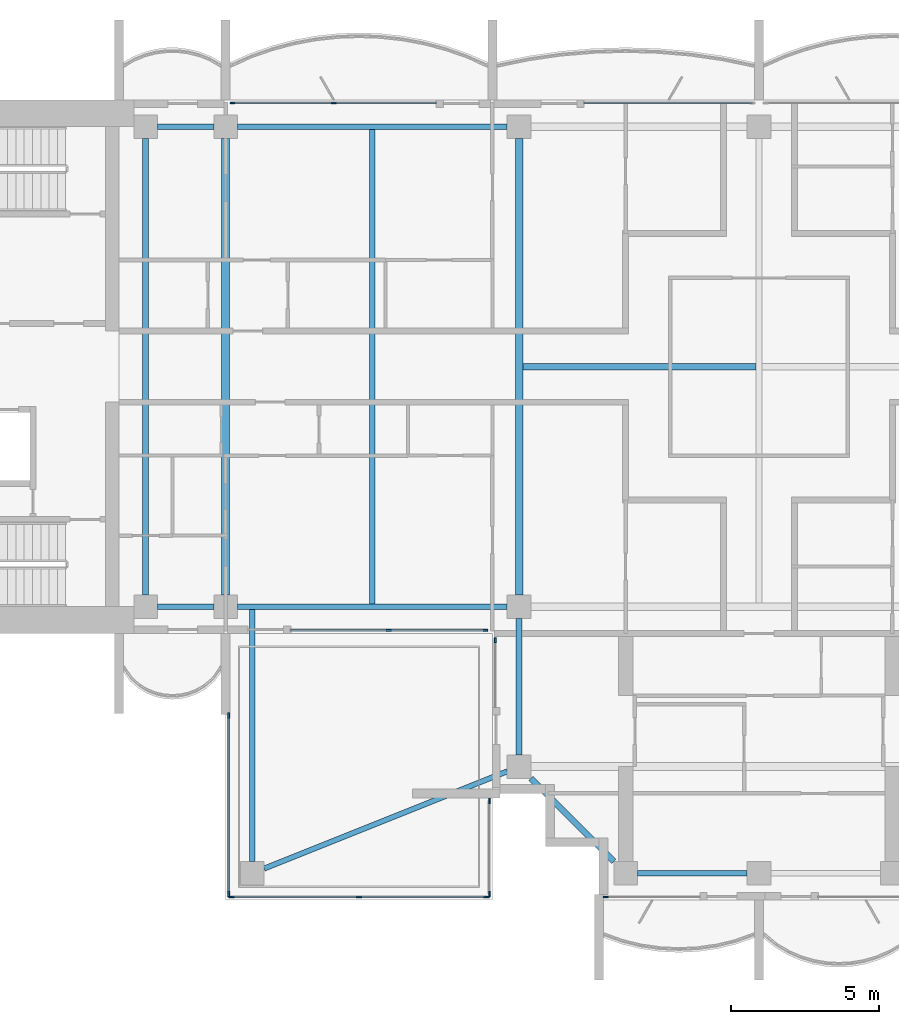
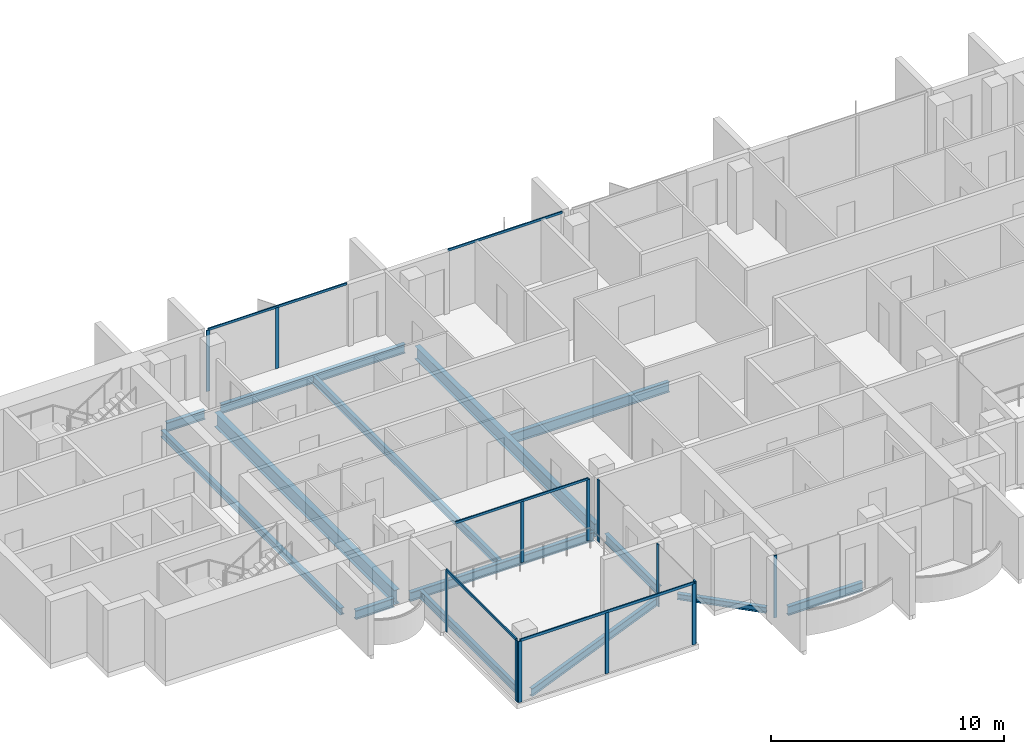
# One storey, part 2 of 16: 18 members, 14 beams, 8 elements without a shape of their own.
"""IFC4 building model written with IfcOpenShell, lengths in metres."""

from ifc_helpers import new_model, si_unit, direction, frame, origin, origin_2d, place, context, subcontext, project, spatial, rectangle, i_section, extrude, material, material_profile, profile_set, type_object, element, aggregate, save


model = new_model("IFC4")

# Units and contexts
model_context = context("Model", 3, precision=1e-05, world=origin(), true_north=direction((0.0, 1.0)))
body_context = subcontext(model_context, "Body", "Model", "MODEL_VIEW")
ifc_project = project(units=[si_unit("LENGTHUNIT", "METRE"), si_unit("AREAUNIT", "SQUARE_METRE"), si_unit("VOLUMEUNIT", "CUBIC_METRE"), si_unit("PLANEANGLEUNIT", "RADIAN"), si_unit("MASSUNIT", "GRAM", prefix="KILO")], contexts=[model_context])

# Site, building, storey
site_placement = place(None, origin())
site = spatial("IfcSite", under=ifc_project, at=site_placement, CompositionType="ELEMENT")
building_placement = place(site_placement, origin())
building = spatial("IfcBuilding", under=site, at=building_placement, Name="Perihelion Cross Residences", CompositionType="ELEMENT")
storey_placement = place(building_placement, frame((0.0, 0.0, 267.5)))
storey = spatial("IfcBuildingStorey", under=building, at=storey_placement, Name="L68", CompositionType="ELEMENT", Elevation=267.5)

# Curtain wall, members
ifc_material_1 = material(Name="Bronze anodised aluminium, tinted glazing", Category="aluminium")
curtain_wall_type_1 = type_object("IfcCurtainWallType", Name="CW1", PredefinedType="NOTDEFINED", material=ifc_material_1)
curtain_wall_1_placement = place(storey_placement, origin())
curtain_wall_1 = element("IfcCurtainWall", 1, at=curtain_wall_1_placement, inside=storey, type_object=curtain_wall_type_1, Name="Curtain wall CW1 L68 west side north bay 1", PredefinedType="NOTDEFINED")
ifc_material_2 = material(Name="Bronze anodised aluminium", Category="aluminium")
ifc_material_profile_1 = material_profile(ifc_material_2, rectangle(XDim=0.06005859375, YDim=0.159912109375, at=origin_2d()), Name="CW1 mullion")
ifc_profile_set_1 = profile_set([ifc_material_profile_1], Name="Bronze anodised aluminium")
member_type_1 = type_object("IfcMemberType", Name="CW1 mullion", PredefinedType="MULLION", material=ifc_profile_set_1)
member_1_placement = place(storey_placement, frame((-14.35009765625, 8.89990234375, 0.0), z_axis=(0.0, 0.0, 1.0), x_axis=(0.0, -1.0, 0.0)))
member_1 = element("IfcMember", 2, at=member_1_placement, type_object=member_type_1, Name="CW1 mullion 2", PredefinedType="MULLION", context=body_context, shape_type="SweptSolid", body=[
    extrude(rectangle(XDim=0.06005859375, YDim=0.159912109375, at=origin_2d()), origin(), (0.0, 0.0, 1.0), 3.18994140625),
])
member_2_placement = place(storey_placement, frame((-17.77001953125, 8.89990234375, 0.0), z_axis=(0.0, 0.0, 1.0), x_axis=(0.0, -1.0, 0.0)))
member_2 = element("IfcMember", 3, at=member_2_placement, type_object=member_type_1, Name="CW1 mullion 3", PredefinedType="MULLION", context=body_context, shape_type="SweptSolid", body=[
    extrude(rectangle(XDim=0.06005859375, YDim=0.159912109375, at=origin_2d()), origin(), (0.0, 0.0, 1.0), 3.18994140625),
])

curtain_wall_2_placement = place(storey_placement, origin())
curtain_wall_2 = element("IfcCurtainWall", 4, at=curtain_wall_2_placement, inside=storey, type_object=curtain_wall_type_1, Name="Curtain wall CW1 L68 west side south bay 2", PredefinedType="NOTDEFINED")
member_3_placement = place(storey_placement, frame((-12.5, -8.89990234375, 0.0), z_axis=(0.0, 0.0, 1.0), x_axis=(0.0, 1.0, 0.0)))
member_3 = element("IfcMember", 5, at=member_3_placement, type_object=member_type_1, Name="CW1 mullion 2", PredefinedType="MULLION", context=body_context, shape_type="SweptSolid", body=[
    extrude(rectangle(XDim=0.06005859375, YDim=0.159912109375, at=origin_2d()), origin(), (0.0, 0.0, 1.0), 3.18994140625),
])
member_4_placement = place(storey_placement, frame((-9.22998046875, -8.89990234375, 0.0), z_axis=(0.0, 0.0, 1.0), x_axis=(0.0, 1.0, 0.0)))
member_4 = element("IfcMember", 6, at=member_4_placement, type_object=member_type_1, Name="CW1 mullion 3", PredefinedType="MULLION", context=body_context, shape_type="SweptSolid", body=[
    extrude(rectangle(XDim=0.06005859375, YDim=0.159912109375, at=origin_2d()), origin(), (0.0, 0.0, 1.0), 3.18994140625),
])

# Curtain wall, member
curtain_wall_3_placement = place(storey_placement, origin())
curtain_wall_3 = element("IfcCurtainWall", 7, at=curtain_wall_3_placement, inside=storey, type_object=curtain_wall_type_1, Name="Curtain wall CW1 L68 south side west bay 1", PredefinedType="NOTDEFINED")
member_5_placement = place(storey_placement, frame((-8.89990234375, -9.22998046875, 0.0), z_axis=(0.0, 0.0, 1.0), x_axis=(1.0, 0.0, 0.0)))
member_5 = element("IfcMember", 8, at=member_5_placement, type_object=member_type_1, Name="CW1 mullion 1", PredefinedType="MULLION", context=body_context, shape_type="SweptSolid", body=[
    extrude(rectangle(XDim=0.06005859375, YDim=0.159912109375, at=origin_2d()), origin(), (0.0, 0.0, 1.0), 3.25),
])
aggregate(curtain_wall_3, [member_5])

curtain_wall_4_placement = place(storey_placement, origin())
curtain_wall_4 = element("IfcCurtainWall", 9, at=curtain_wall_4_placement, inside=storey, type_object=curtain_wall_type_1, Name="Curtain wall CW1 L68 south tip south bay 1", PredefinedType="NOTDEFINED")
member_6_placement = place(storey_placement, frame((-5.169921875, -17.89990234375, 0.0), z_axis=(0.0, 0.0, 1.0), x_axis=(0.0, 1.0, 0.0)))
member_6 = element("IfcMember", 10, at=member_6_placement, type_object=member_type_1, Name="CW1 mullion 1", PredefinedType="MULLION", context=body_context, shape_type="SweptSolid", body=[
    extrude(rectangle(XDim=0.06005859375, YDim=0.159912109375, at=origin_2d()), origin(), (0.0, 0.0, 1.0), 3.25),
])
aggregate(curtain_wall_4, [member_6])

curtain_wall_5_placement = place(storey_placement, origin())
curtain_wall_5 = element("IfcCurtainWall", 11, at=curtain_wall_5_placement, inside=storey, type_object=curtain_wall_type_1, Name="Curtain wall CW1 L68 north side east bay 2", PredefinedType="NOTDEFINED")
ifc_material_3 = material(Name="Bronze anodised aluminium", Category="aluminium")
ifc_material_profile_2 = material_profile(ifc_material_3, rectangle(XDim=0.06005859375, YDim=0.1201171875, at=origin_2d()), Name="CW1 transom")
ifc_profile_set_2 = profile_set([ifc_material_profile_2], Name="Bronze anodised aluminium")
member_type_2 = type_object("IfcMemberType", Name="CW1 transom", PredefinedType="USERDEFINED", material=ifc_profile_set_2)
member_7_placement = place(storey_placement, frame((-0.22998046875, 8.89990234375, 3.219970703125), z_axis=(-1.0, 0.0, 0.0), x_axis=(0.0, -1.0, 0.0)))
member_7 = element("IfcMember", 12, at=member_7_placement, type_object=member_type_2, Name="CW1 head transom", ObjectType="TRANSOM", PredefinedType="USERDEFINED", context=body_context, shape_type="SweptSolid", body=[
    extrude(rectangle(XDim=0.06005859375, YDim=0.1201171875, at=origin_2d()), origin(), (0.0, 0.0, 1.0), 5.669921875),
])
aggregate(curtain_wall_5, [member_7])

# Member
member_8_placement = place(storey_placement, frame((-10.89990234375, 8.89990234375, 3.219970703125), z_axis=(-1.0, 0.0, 0.0), x_axis=(0.0, -1.0, 0.0)))
member_8 = element("IfcMember", 13, at=member_8_placement, type_object=member_type_2, Name="CW1 head transom", ObjectType="TRANSOM", PredefinedType="USERDEFINED", context=body_context, shape_type="SweptSolid", body=[
    extrude(rectangle(XDim=0.06005859375, YDim=0.1201171875, at=origin_2d()), origin(), (0.0, 0.0, 1.0), 6.8701171875),
])

aggregate(curtain_wall_1, [member_1, member_2, member_8])

member_9_placement = place(storey_placement, frame((-15.800048828125, -8.89990234375, 3.219970703125), z_axis=(1.0, 0.0, 0.0), x_axis=(0.0, 1.0, 0.0)))
member_9 = element("IfcMember", 14, at=member_9_placement, type_object=member_type_2, Name="CW1 head transom", ObjectType="TRANSOM", PredefinedType="USERDEFINED", context=body_context, shape_type="SweptSolid", body=[
    extrude(rectangle(XDim=0.06005859375, YDim=0.1201171875, at=origin_2d()), origin(), (0.0, 0.0, 1.0), 6.570068359375),
])

aggregate(curtain_wall_2, [member_3, member_4, member_9])

# Curtain wall, members
ifc_material_4 = material(Name="Bronze anodised aluminium, tinted glazing", Category="aluminium")
curtain_wall_type_2 = type_object("IfcCurtainWallType", Name="CW4", PredefinedType="NOTDEFINED", material=ifc_material_4)
curtain_wall_6_placement = place(storey_placement, origin())
curtain_wall_6 = element("IfcCurtainWall", 15, at=curtain_wall_6_placement, inside=storey, type_object=curtain_wall_type_2, Name="Curtain wall CW4 L68 pocket south-west 1 1", PredefinedType="NOTDEFINED")
ifc_material_5 = material(Name="Bronze anodised aluminium", Category="aluminium")
ifc_material_profile_3 = material_profile(ifc_material_5, rectangle(XDim=0.06005859375, YDim=0.179931640625, at=origin_2d()), Name="CW4 mullion")
ifc_profile_set_3 = profile_set([ifc_material_profile_3], Name="Bronze anodised aluminium")
member_type_3 = type_object("IfcMemberType", Name="CW4 mullion", PredefinedType="MULLION", material=ifc_profile_set_3)
member_10_placement = place(storey_placement, frame((-9.10009765625, -14.658935546875, 0.0), z_axis=(0.0, 0.0, 1.0), x_axis=(1.0, 0.0, 0.0)))
member_10 = element("IfcMember", 16, at=member_10_placement, type_object=member_type_3, Name="CW4 mullion 1", PredefinedType="MULLION", context=body_context, shape_type="SweptSolid", body=[
    extrude(rectangle(XDim=0.06005859375, YDim=0.179931640625, at=origin_2d()), origin(), (0.0, 0.0, 1.0), 3.25),
])
member_11_placement = place(storey_placement, frame((-9.10009765625, -17.800048828125, 0.0), z_axis=(0.0, 0.0, 1.0), x_axis=(1.0, 0.0, 0.0)))
member_11 = element("IfcMember", 17, at=member_11_placement, type_object=member_type_3, Name="CW4 mullion 2", PredefinedType="MULLION", context=body_context, shape_type="SweptSolid", body=[
    extrude(rectangle(XDim=0.06005859375, YDim=0.179931640625, at=origin_2d()), origin(), (0.0, 0.0, 1.0), 3.25),
])
aggregate(curtain_wall_6, [member_10, member_11])

curtain_wall_7_placement = place(storey_placement, origin())
curtain_wall_7 = element("IfcCurtainWall", 18, at=curtain_wall_7_placement, inside=storey, type_object=curtain_wall_type_2, Name="Curtain wall CW4 L68 pocket south-west 1 2", PredefinedType="NOTDEFINED")
member_12_placement = place(storey_placement, frame((-9.199951171875, -17.89990234375, 0.0), z_axis=(0.0, 0.0, 1.0), x_axis=(0.0, -1.0, 0.0)))
member_12 = element("IfcMember", 19, at=member_12_placement, type_object=member_type_3, Name="CW4 mullion 1", PredefinedType="MULLION", context=body_context, shape_type="SweptSolid", body=[
    extrude(rectangle(XDim=0.06005859375, YDim=0.179931640625, at=origin_2d()), origin(), (0.0, 0.0, 1.0), 3.18994140625),
])
member_13_placement = place(storey_placement, frame((-13.5, -17.89990234375, 0.0), z_axis=(0.0, 0.0, 1.0), x_axis=(0.0, -1.0, 0.0)))
member_13 = element("IfcMember", 20, at=member_13_placement, type_object=member_type_3, Name="CW4 mullion 2", PredefinedType="MULLION", context=body_context, shape_type="SweptSolid", body=[
    extrude(rectangle(XDim=0.06005859375, YDim=0.179931640625, at=origin_2d()), origin(), (0.0, 0.0, 1.0), 3.18994140625),
])
member_14_placement = place(storey_placement, frame((-17.800048828125, -17.89990234375, 0.0), z_axis=(0.0, 0.0, 1.0), x_axis=(0.0, -1.0, 0.0)))
member_14 = element("IfcMember", 21, at=member_14_placement, type_object=member_type_3, Name="CW4 mullion 3", PredefinedType="MULLION", context=body_context, shape_type="SweptSolid", body=[
    extrude(rectangle(XDim=0.06005859375, YDim=0.179931640625, at=origin_2d()), origin(), (0.0, 0.0, 1.0), 3.18994140625),
])

curtain_wall_8_placement = place(storey_placement, origin())
curtain_wall_8 = element("IfcCurtainWall", 22, at=curtain_wall_8_placement, inside=storey, type_object=curtain_wall_type_2, Name="Curtain wall CW4 L68 pocket south-west 1 3", PredefinedType="NOTDEFINED")
member_15_placement = place(storey_placement, frame((-17.89990234375, -17.800048828125, 0.0), z_axis=(0.0, 0.0, 1.0), x_axis=(-1.0, 0.0, 0.0)))
member_15 = element("IfcMember", 23, at=member_15_placement, type_object=member_type_3, Name="CW4 mullion 1", PredefinedType="MULLION", context=body_context, shape_type="SweptSolid", body=[
    extrude(rectangle(XDim=0.06005859375, YDim=0.179931640625, at=origin_2d()), origin(), (0.0, 0.0, 1.0), 3.18994140625),
])
member_16_placement = place(storey_placement, frame((-17.89990234375, -11.77001953125, 0.0), z_axis=(0.0, 0.0, 1.0), x_axis=(-1.0, 0.0, 0.0)))
member_16 = element("IfcMember", 24, at=member_16_placement, type_object=member_type_3, Name="CW4 mullion 2", PredefinedType="MULLION", context=body_context, shape_type="SweptSolid", body=[
    extrude(rectangle(XDim=0.06005859375, YDim=0.179931640625, at=origin_2d()), origin(), (0.0, 0.0, 1.0), 3.18994140625),
])

# Member
ifc_material_6 = material(Name="Bronze anodised aluminium", Category="aluminium")
ifc_material_profile_4 = material_profile(ifc_material_6, rectangle(XDim=0.06005859375, YDim=0.139892578125, at=origin_2d()), Name="CW4 transom")
ifc_profile_set_4 = profile_set([ifc_material_profile_4], Name="Bronze anodised aluminium")
member_type_4 = type_object("IfcMemberType", Name="CW4 transom", PredefinedType="USERDEFINED", material=ifc_profile_set_4)
member_17_placement = place(storey_placement, frame((-9.199951171875, -17.89990234375, 3.219970703125), z_axis=(-1.0, 0.0, 0.0), x_axis=(0.0, -1.0, 0.0)))
member_17 = element("IfcMember", 25, at=member_17_placement, type_object=member_type_4, Name="CW4 head transom", ObjectType="TRANSOM", PredefinedType="USERDEFINED", context=body_context, shape_type="SweptSolid", body=[
    extrude(rectangle(XDim=0.06005859375, YDim=0.139892578125, at=origin_2d()), origin(), (0.0, 0.0, 1.0), 8.60009765625),
])

aggregate(curtain_wall_7, [member_12, member_13, member_14, member_17])

member_18_placement = place(storey_placement, frame((-17.89990234375, -17.800048828125, 3.219970703125), z_axis=(0.0, 1.0, 0.0), x_axis=(-1.0, 0.0, 0.0)))
member_18 = element("IfcMember", 26, at=member_18_placement, type_object=member_type_4, Name="CW4 head transom", ObjectType="TRANSOM", PredefinedType="USERDEFINED", context=body_context, shape_type="SweptSolid", body=[
    extrude(rectangle(XDim=0.06005859375, YDim=0.139892578125, at=origin_2d()), origin(), (0.0, 0.0, 1.0), 6.030029296875),
])

aggregate(curtain_wall_8, [member_15, member_16, member_18])

# Beams
ifc_material_7 = material(Name="Steel S355", Category="steel")
ifc_material_profile_5 = material_profile(ifc_material_7, i_section(OverallWidth=0.205078125, OverallDepth=0.35302734375, WebThickness=0.009521484375, FlangeThickness=0.016845703125, at=origin_2d()), Name="W360x79")
ifc_profile_set_5 = profile_set([ifc_material_profile_5], Name="Steel S355")
beam_type_1 = type_object("IfcBeamType", Name="Core edge beam W360x79", PredefinedType="BEAM", material=ifc_profile_set_5)
beam_1_placement = place(storey_placement, frame((-20.699951171875, -7.699951171875, -0.426513671875), z_axis=(0.0, 1.0, 0.0), x_axis=(-1.0, 0.0, 0.0)))
element("IfcBeam", 27, at=beam_1_placement, inside=storey, type_object=beam_type_1, Name="Core edge beam TB7 L68 no. 1", PredefinedType="BEAM", context=body_context, shape_type="SweptSolid", body=[
    extrude(i_section(OverallWidth=0.205078125, OverallDepth=0.35302734375, WebThickness=0.009521484375, FlangeThickness=0.016845703125, at=origin_2d()), origin(), (0.0, 0.0, 1.0), 15.39990234375),
])
ifc_material_8 = material(Name="Steel S355", Category="steel")
ifc_material_profile_6 = material_profile(ifc_material_8, i_section(OverallWidth=0.177978515625, OverallDepth=0.406005859375, WebThickness=0.0078125, FlangeThickness=0.0126953125, at=origin_2d()), Name="W410x60")
ifc_profile_set_6 = profile_set([ifc_material_profile_6], Name="Steel S355")
beam_type_2 = type_object("IfcBeamType", Name="Core edge beam W410x60", PredefinedType="BEAM", material=ifc_profile_set_6)
beam_2_placement = place(storey_placement, frame((-17.10009765625, -8.197021484375, -0.452880859375), z_axis=(0.0, -1.0, 0.0), x_axis=(1.0, 0.0, 0.0)))
element("IfcBeam", 28, at=beam_2_placement, inside=storey, type_object=beam_type_2, Name="Core edge beam TB2 L68 corner no. 1", PredefinedType="BEAM", context=body_context, shape_type="SweptSolid", body=[
    extrude(i_section(OverallWidth=0.177978515625, OverallDepth=0.406005859375, WebThickness=0.0078125, FlangeThickness=0.0126953125, at=origin_2d()), origin(), (0.0, 0.0, 1.0), 8.5029296875),
])
beam_3_placement = place(storey_placement, frame((-8.5, -13.659912109375, -0.452880859375), z_axis=(-0.928474784399, -0.371395442534, 0.0), x_axis=(0.371395442534, -0.928474784399, 0.0)))
element("IfcBeam", 29, at=beam_3_placement, inside=storey, type_object=beam_type_2, Name="Core edge beam TB2 L68 corner no. 2", PredefinedType="BEAM", context=body_context, shape_type="SweptSolid", body=[
    extrude(i_section(OverallWidth=0.177978515625, OverallDepth=0.406005859375, WebThickness=0.0078125, FlangeThickness=0.0126953125, at=origin_2d()), origin(), (0.0, 0.0, 1.0), 8.83154296875),
])
ifc_material_9 = material(Name="Steel S355", Category="steel")
ifc_material_profile_7 = material_profile(ifc_material_9, i_section(OverallWidth=0.194091796875, OverallDepth=0.469970703125, WebThickness=0.0126953125, FlangeThickness=0.0205078125, at=origin_2d()), Name="W460x106")
ifc_profile_set_7 = profile_set([ifc_material_profile_7], Name="Steel S355")
beam_type_3 = type_object("IfcBeamType", Name="Edge beam W460x106", PredefinedType="SPANDREL", material=ifc_profile_set_7)
beam_4_placement = place(storey_placement, frame((-8.5, 8.10009765625, -0.485107421875), z_axis=(-1.0, 0.0, 0.0), x_axis=(0.0, -1.0, 0.0)))
element("IfcBeam", 30, at=beam_4_placement, inside=storey, type_object=beam_type_3, Name="Edge beam SB5 L68 no. 6", PredefinedType="SPANDREL", context=body_context, shape_type="SweptSolid", body=[
    extrude(i_section(OverallWidth=0.194091796875, OverallDepth=0.469970703125, WebThickness=0.0126953125, FlangeThickness=0.0205078125, at=origin_2d()), origin(), (0.0, 0.0, 1.0), 9.10009765625),
])
for number, where, z_axis, x_axis, name in (
    (31, (-18.39990234375, 8.10009765625, -0.485107421875), (-1.0, 0.0, 0.0), (0.0, -1.0, 0.0), "Edge beam SB5 L68 no. 2"),
    (32, (-20.300048828125, -8.10009765625, -0.485107421875), (1.0, 0.0, 0.0), (0.0, 1.0, 0.0), "Edge beam SB5 L68 no. 3"),
):
    element("IfcBeam", number, at=place(storey_placement, frame(where, z_axis=z_axis, x_axis=x_axis)), inside=storey, type_object=beam_type_3, Name=name, PredefinedType="SPANDREL", context=body_context, shape_type="SweptSolid", body=[
        extrude(i_section(OverallWidth=0.194091796875, OverallDepth=0.469970703125, WebThickness=0.0126953125, FlangeThickness=0.0205078125, at=origin_2d()), origin(), (0.0, 0.0, 1.0), 1.900146484375),
    ])
beam_5_placement = place(storey_placement, frame((-17.60009765625, -8.10009765625, -0.485107421875), z_axis=(1.0, 0.0, 0.0), x_axis=(0.0, 1.0, 0.0)))
element("IfcBeam", 33, at=beam_5_placement, inside=storey, type_object=beam_type_3, Name="Edge beam SB5 L68 no. 1", PredefinedType="SPANDREL", context=body_context, shape_type="SweptSolid", body=[
    extrude(i_section(OverallWidth=0.194091796875, OverallDepth=0.469970703125, WebThickness=0.0126953125, FlangeThickness=0.0205078125, at=origin_2d()), origin(), (0.0, 0.0, 1.0), 9.10009765625),
])
beam_6_placement = place(storey_placement, frame((-8.10009765625, -8.5, -0.485107421875), z_axis=(0.0, -1.0, 0.0), x_axis=(1.0, 0.0, 0.0)))
element("IfcBeam", 34, at=beam_6_placement, inside=storey, type_object=beam_type_3, Name="Edge beam SB5 L68 no. 5", PredefinedType="SPANDREL", context=body_context, shape_type="SweptSolid", body=[
    extrude(i_section(OverallWidth=0.194091796875, OverallDepth=0.469970703125, WebThickness=0.0126953125, FlangeThickness=0.0205078125, at=origin_2d()), origin(), (0.0, 0.0, 1.0), 4.60009765625),
])
beam_7_placement = place(storey_placement, frame((-4.10009765625, -17.10009765625, -0.485107421875), z_axis=(1.0, 0.0, 0.0), x_axis=(0.0, 1.0, 0.0)))
element("IfcBeam", 35, at=beam_7_placement, inside=storey, type_object=beam_type_3, Name="Edge beam SB5 L68 no. 4", PredefinedType="SPANDREL", context=body_context, shape_type="SweptSolid", body=[
    extrude(i_section(OverallWidth=0.194091796875, OverallDepth=0.469970703125, WebThickness=0.0126953125, FlangeThickness=0.0205078125, at=origin_2d()), origin(), (0.0, 0.0, 1.0), 3.7001953125),
])
ifc_material_10 = material(Name="Steel S355", Category="steel")
ifc_material_profile_8 = material_profile(ifc_material_10, i_section(OverallWidth=0.26708984375, OverallDepth=0.75390625, WebThickness=0.01318359375, FlangeThickness=0.01708984375, at=origin_2d()), Name="W760x147")
ifc_profile_set_8 = profile_set([ifc_material_profile_8], Name="Steel S355")
beam_type_4 = type_object("IfcBeamType", Name="Floor girder W760x147", PredefinedType="BEAM", material=ifc_profile_set_8)
beam_8_placement = place(storey_placement, frame((-18.0, -7.699951171875, -0.626953125), z_axis=(0.0, 1.0, 0.0), x_axis=(-1.0, 0.0, 0.0)))
element("IfcBeam", 36, at=beam_8_placement, inside=storey, type_object=beam_type_4, Name="Girder G5 L68 no. 1", PredefinedType="BEAM", context=body_context, shape_type="SweptSolid", body=[
    extrude(i_section(OverallWidth=0.26708984375, OverallDepth=0.75390625, WebThickness=0.01318359375, FlangeThickness=0.01708984375, at=origin_2d()), origin(), (0.0, 0.0, 1.0), 15.39990234375),
])
ifc_material_11 = material(Name="Steel S355", Category="steel")
ifc_material_profile_9 = material_profile(ifc_material_11, i_section(OverallWidth=0.177978515625, OverallDepth=0.406005859375, WebThickness=0.0078125, FlangeThickness=0.0126953125, at=origin_2d()), Name="W410x60")
ifc_profile_set_9 = profile_set([ifc_material_profile_9], Name="Steel S355")
beam_type_5 = type_object("IfcBeamType", Name="Floor joist W410x60", PredefinedType="JOIST", material=ifc_profile_set_9)
beam_9_placement = place(storey_placement, frame((-13.050048828125, -8.0029296875, -0.452880859375), z_axis=(0.0, 1.0, 0.0), x_axis=(-1.0, 0.0, 0.0)))
element("IfcBeam", 37, at=beam_9_placement, inside=storey, type_object=beam_type_5, Name="Joist J6 L68 no. 1", PredefinedType="JOIST", context=body_context, shape_type="SweptSolid", body=[
    extrude(i_section(OverallWidth=0.177978515625, OverallDepth=0.406005859375, WebThickness=0.0078125, FlangeThickness=0.0126953125, at=origin_2d()), origin(), (0.0, 0.0, 1.0), 16.005859375),
])
ifc_material_12 = material(Name="Steel S355", Category="steel")
ifc_material_profile_10 = material_profile(ifc_material_12, i_section(OverallWidth=0.208984375, OverallDepth=0.532958984375, WebThickness=0.01025390625, FlangeThickness=0.015625, at=origin_2d()), Name="W530x92")
ifc_profile_set_10 = profile_set([ifc_material_profile_10], Name="Steel S355")
beam_type_6 = type_object("IfcBeamType", Name="Hub cross beam W530x92", PredefinedType="BEAM", material=ifc_profile_set_10)
beam_10_placement = place(storey_placement, frame((-7.972900390625, 0.0, -0.5166015625), z_axis=(1.0, 0.0, 0.0), x_axis=(0.0, 1.0, 0.0)))
element("IfcBeam", 38, at=beam_10_placement, inside=storey, type_object=beam_type_6, Name="Hub cross beam XB5 L68 1 no. 1", PredefinedType="BEAM", context=body_context, shape_type="SweptSolid", body=[
    extrude(i_section(OverallWidth=0.208984375, OverallDepth=0.532958984375, WebThickness=0.01025390625, FlangeThickness=0.015625, at=origin_2d()), origin(), (0.0, 0.0, 1.0), 7.868408203125),
])
ifc_material_13 = material(Name="Steel S355", Category="steel")
ifc_material_profile_11 = material_profile(ifc_material_13, i_section(OverallWidth=0.25390625, OverallDepth=0.677978515625, WebThickness=0.01171875, FlangeThickness=0.016357421875, at=origin_2d()), Name="W690x125")
ifc_profile_set_11 = profile_set([ifc_material_profile_11], Name="Steel S355")
beam_type_7 = type_object("IfcBeamType", Name="Hub ring girder W690x125", PredefinedType="BEAM", material=ifc_profile_set_11)
beam_11_placement = place(storey_placement, frame((-8.10009765625, 7.699951171875, -0.589111328125), z_axis=(0.0, -1.0, 0.0), x_axis=(1.0, 0.0, 0.0)))
element("IfcBeam", 39, at=beam_11_placement, inside=storey, type_object=beam_type_7, Name="Hub ring girder RG5 L68 no. 2", PredefinedType="BEAM", context=body_context, shape_type="SweptSolid", body=[
    extrude(i_section(OverallWidth=0.25390625, OverallDepth=0.677978515625, WebThickness=0.01171875, FlangeThickness=0.016357421875, at=origin_2d()), origin(), (0.0, 0.0, 1.0), 15.39990234375),
])
ifc_material_14 = material(Name="Steel S355", Category="steel")
ifc_material_profile_12 = material_profile(ifc_material_14, i_section(OverallWidth=0.202880859375, OverallDepth=0.302001953125, WebThickness=0.007568359375, FlangeThickness=0.01318359375, at=origin_2d()), Name="W310x60")
ifc_profile_set_12 = profile_set([ifc_material_profile_12], Name="Steel S355")
beam_type_8 = type_object("IfcBeamType", Name="Serration edge beam W310x60", PredefinedType="BEAM", material=ifc_profile_set_12)
beam_12_placement = place(storey_placement, frame((-7.699951171875, -13.89990234375, -0.40087890625), z_axis=(0.707106781187, -0.707106781187, 0.0), x_axis=(0.707106781187, 0.707106781187, 0.0)))
element("IfcBeam", 40, at=beam_12_placement, inside=storey, type_object=beam_type_8, Name="Serration edge beam EB5 L68 no. 1", PredefinedType="BEAM", context=body_context, shape_type="SweptSolid", body=[
    extrude(i_section(OverallWidth=0.202880859375, OverallDepth=0.302001953125, WebThickness=0.007568359375, FlangeThickness=0.01318359375, at=origin_2d()), origin(), (0.0, 0.0, 1.0), 3.9599609375),
])

save(model, "model.ifc")
